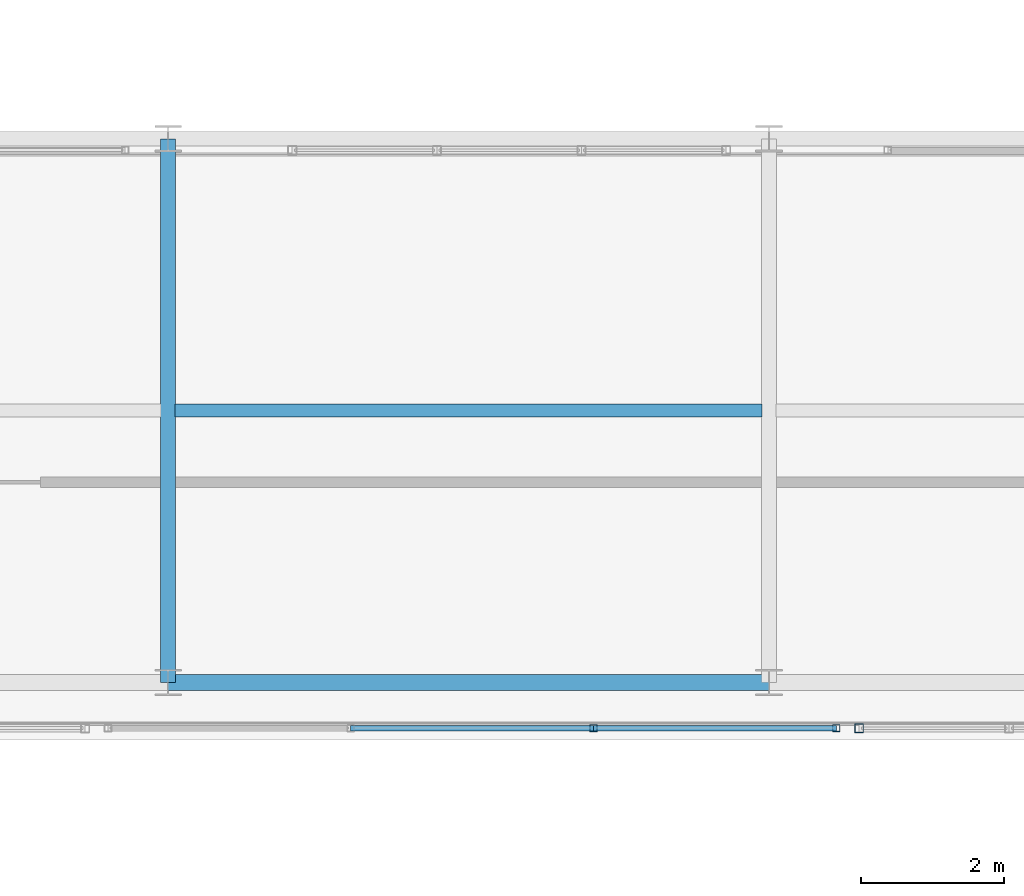
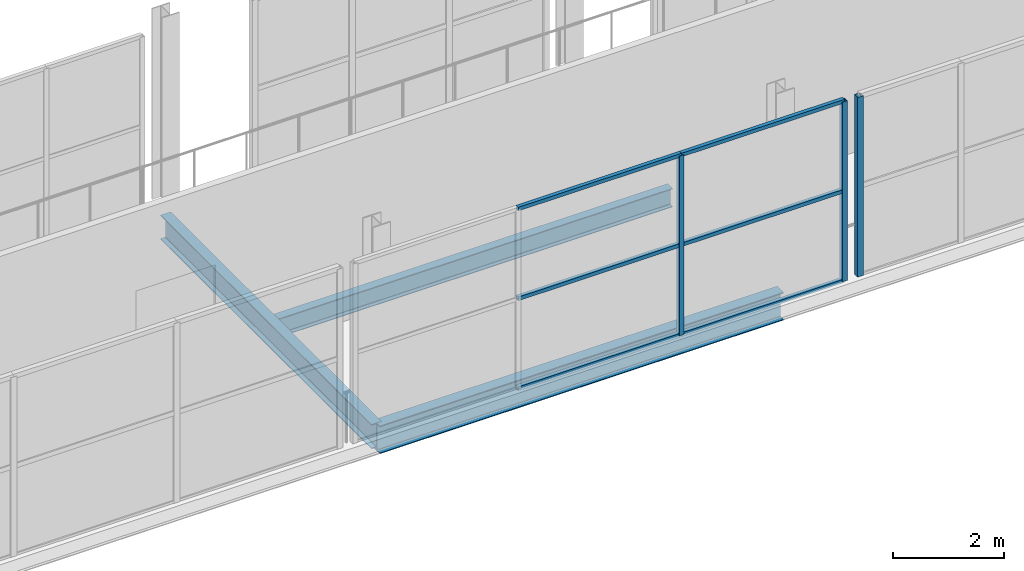
# One storey, part 60 of 217: 9 members, 3 beams, 2 elements without a shape of their own.
"""IFC4 building model written with IfcOpenShell, lengths in metres."""

from ifc_helpers import new_model, si_unit, direction, frame, origin, origin_2d, place, context, subcontext, project, spatial, hollow_rectangle, i_section, extrude, material, material_profile, profile_set, type_object, element, aggregate, save


model = new_model("IFC4")

# Units and contexts
model_context = context("Model", 3, precision=1e-05, world=origin(), true_north=direction((0.0, 1.0)))
body_context = subcontext(model_context, "Body", "Model", "MODEL_VIEW")
ifc_project = project(units=[si_unit("LENGTHUNIT", "METRE"), si_unit("AREAUNIT", "SQUARE_METRE"), si_unit("VOLUMEUNIT", "CUBIC_METRE"), si_unit("PLANEANGLEUNIT", "RADIAN"), si_unit("MASSUNIT", "GRAM", prefix="KILO")], contexts=[model_context])

# Site, building, storey
site_placement = place(None, origin())
site = spatial("IfcSite", under=ifc_project, at=site_placement, CompositionType="ELEMENT")
building_placement = place(site_placement, origin())
building = spatial("IfcBuilding", under=site, at=building_placement, Name="Zuvorla Pavilion Media Centre", CompositionType="ELEMENT")
storey_placement = place(building_placement, frame((0.0, 0.0, 9.60009765625)))
storey = spatial("IfcBuildingStorey", under=building, at=storey_placement, Name="L02", CompositionType="ELEMENT", Elevation=9.60009765625)

# Beams
ifc_material_1 = material(Name="Steel S355", Category="steel")
ifc_material_profile_1 = material_profile(ifc_material_1, i_section(OverallWidth=0.1787109375, OverallDepth=0.409423828125, WebThickness=0.0087890625, FlangeThickness=0.014404296875, FilletRadius=0.01025390625, at=origin_2d()), Name="UB 406x178x67")
ifc_profile_set_1 = profile_set([ifc_material_profile_1], Name="Steel S355")
beam_type_1 = type_object("IfcBeamType", Name="BM-UB406", PredefinedType="JOIST", material=ifc_profile_set_1)
beam_1_placement = place(storey_placement, frame((50.10009765625, 85.800048828125, -0.472900390625), z_axis=(1.0, 0.0, 0.0), x_axis=(0.0, 1.0, 0.0)))
element("IfcBeam", 1, at=beam_1_placement, inside=storey, type_object=beam_type_1, Name="L02 joist J02 999", PredefinedType="JOIST", context=body_context, shape_type="SweptSolid", body=[
    extrude(i_section(OverallWidth=0.1787109375, OverallDepth=0.409423828125, WebThickness=0.0087890625, FlangeThickness=0.014404296875, FilletRadius=0.01025390625, at=origin_2d()), origin(), (0.0, 0.0, 1.0), 8.199951171875),
])
ifc_material_profile_2 = material_profile(ifc_material_1, i_section(OverallWidth=0.2099609375, OverallDepth=0.53662109375, WebThickness=0.0107421875, FlangeThickness=0.017333984375, FilletRadius=0.0126953125, at=origin_2d()), Name="UB 533x210x101")
ifc_profile_set_2 = profile_set([ifc_material_profile_2], Name="Steel S355")
beam_type_2 = type_object("IfcBeamType", Name="BM-UB533", PredefinedType="BEAM", material=ifc_profile_set_2)
beam_2_placement = place(storey_placement, frame((50.0, 82.0, -0.536376953125), z_axis=(0.0, 1.0, 0.0), x_axis=(-1.0, 0.0, 0.0)))
element("IfcBeam", 2, at=beam_2_placement, inside=storey, type_object=beam_type_2, Name="L02 beam B08 915", PredefinedType="BEAM", context=body_context, shape_type="SweptSolid", body=[
    extrude(i_section(OverallWidth=0.2099609375, OverallDepth=0.53662109375, WebThickness=0.0107421875, FlangeThickness=0.017333984375, FilletRadius=0.0126953125, at=origin_2d()), origin(), (0.0, 0.0, 1.0), 7.60009765625),
])
ifc_material_profile_3 = material_profile(ifc_material_1, i_section(OverallWidth=0.22900390625, OverallDepth=0.6123046875, WebThickness=0.011962890625, FlangeThickness=0.01953125, FilletRadius=0.0126953125, at=origin_2d()), Name="UB 610x229x125")
ifc_profile_set_3 = profile_set([ifc_material_profile_3], Name="Steel S355")
beam_type_3 = type_object("IfcBeamType", Name="BM-UB610", PredefinedType="BEAM", material=ifc_profile_set_3)
beam_3_placement = place(storey_placement, frame((50.0, 82.0, -0.57421875), z_axis=(1.0, 0.0, 0.0), x_axis=(0.0, 1.0, 0.0)))
element("IfcBeam", 3, at=beam_3_placement, inside=storey, type_object=beam_type_3, Name="L02 beam B07 863", PredefinedType="BEAM", context=body_context, shape_type="SweptSolid", body=[
    extrude(i_section(OverallWidth=0.22900390625, OverallDepth=0.6123046875, WebThickness=0.011962890625, FlangeThickness=0.01953125, FilletRadius=0.0126953125, at=origin_2d()), origin(), (0.0, 0.0, 1.0), 8.39990234375),
])

# Curtain wall, members
ifc_material_2 = material(Name="Unitised anodised aluminium and solar glass curtain wall", Category="aluminium")
curtain_wall_type_1 = type_object("IfcCurtainWallType", Name="CW-SYS-35", PredefinedType="USERDEFINED", material=ifc_material_2)
curtain_wall_1_placement = place(storey_placement, origin())
curtain_wall_1 = element("IfcCurtainWall", 4, at=curtain_wall_1_placement, inside=storey, type_object=curtain_wall_type_1, Name="L02 curtain wall CW35 56", ObjectType="CURTAIN WALL", PredefinedType="USERDEFINED")
ifc_material_3 = material(Name="Anodised aluminium 6063-T6", Category="aluminium")
ifc_material_profile_4 = material_profile(ifc_material_3, hollow_rectangle(XDim=0.10009765625, YDim=0.10009765625, WallThickness=0.00439453125, at=origin_2d()), Name="ALU MULL 100x100")
ifc_profile_set_4 = profile_set([ifc_material_profile_4], Name="Anodised aluminium 6063-T6")
member_type_1 = type_object("IfcMemberType", Name="CW-MULL-100", PredefinedType="MULLION", material=ifc_profile_set_4)
member_1_placement = place(storey_placement, frame((59.340087890625, 81.360107421875, 0.0), z_axis=(0.0, 0.0, 1.0), x_axis=(1.0, 0.0, 0.0)))
member_1 = element("IfcMember", 5, at=member_1_placement, type_object=member_type_1, Name="CW35 mullion 1", PredefinedType="MULLION", context=body_context, shape_type="SweptSolid", body=[
    extrude(hollow_rectangle(XDim=0.10009765625, YDim=0.10009765625, WallThickness=0.00439453125, at=origin_2d()), origin(), (0.0, 0.0, 1.0), 3.949951171875),
])
member_2_placement = place(storey_placement, frame((55.94677734375, 81.360107421875, 0.0), z_axis=(0.0, 0.0, 1.0), x_axis=(1.0, 0.0, 0.0)))
member_2 = element("IfcMember", 6, at=member_2_placement, type_object=member_type_1, Name="CW35 mullion 2", PredefinedType="MULLION", context=body_context, shape_type="SweptSolid", body=[
    extrude(hollow_rectangle(XDim=0.10009765625, YDim=0.10009765625, WallThickness=0.00439453125, at=origin_2d()), origin(), (0.0, 0.0, 1.0), 3.949951171875),
])

# Curtain wall, member
curtain_wall_type_2 = type_object("IfcCurtainWallType", Name="CW-SYS-39", PredefinedType="USERDEFINED", material=ifc_material_2)
curtain_wall_2_placement = place(storey_placement, origin())
curtain_wall_2 = element("IfcCurtainWall", 7, at=curtain_wall_2_placement, inside=storey, type_object=curtain_wall_type_2, Name="L02 curtain wall CW39 60", ObjectType="CURTAIN WALL", PredefinedType="USERDEFINED")
ifc_material_profile_5 = material_profile(ifc_material_3, hollow_rectangle(XDim=0.1201171875, YDim=0.1201171875, WallThickness=0.0048828125, at=origin_2d()), Name="ALU MULL 120x120")
ifc_profile_set_5 = profile_set([ifc_material_profile_5], Name="Anodised aluminium 6063-T6")
member_type_2 = type_object("IfcMemberType", Name="CW-MULL-120", PredefinedType="MULLION", material=ifc_profile_set_5)
member_3_placement = place(storey_placement, frame((59.659912109375, 81.360107421875, 0.0), z_axis=(0.0, 0.0, 1.0), x_axis=(1.0, 0.0, 0.0)))
member_3 = element("IfcMember", 8, at=member_3_placement, type_object=member_type_2, Name="CW39 mullion 4", PredefinedType="MULLION", context=body_context, shape_type="SweptSolid", body=[
    extrude(hollow_rectangle(XDim=0.1201171875, YDim=0.1201171875, WallThickness=0.0048828125, at=origin_2d()), origin(), (0.0, 0.0, 1.0), 3.949951171875),
])
aggregate(curtain_wall_2, [member_3])

# Member
ifc_material_profile_6 = material_profile(ifc_material_3, hollow_rectangle(XDim=0.080078125, YDim=0.080078125, WallThickness=0.00390625, at=origin_2d()), Name="ALU TRAN 80x80")
ifc_profile_set_6 = profile_set([ifc_material_profile_6], Name="Anodised aluminium 6063-T6")
member_type_3 = type_object("IfcMemberType", Name="CW-TRAN-80", PredefinedType="USERDEFINED", material=ifc_profile_set_6)
member_4_placement = place(storey_placement, frame((59.340087890625, 81.360107421875, 0.0), z_axis=(-1.0, 0.0, 0.0), x_axis=(0.0, -1.0, 0.0)))
member_4 = element("IfcMember", 9, at=member_4_placement, type_object=member_type_3, Name="CW35 transom 1.1", ObjectType="TRANSOM", PredefinedType="USERDEFINED", context=body_context, shape_type="SweptSolid", body=[
    extrude(hollow_rectangle(XDim=0.080078125, YDim=0.080078125, WallThickness=0.00390625, at=origin_2d()), origin(), (0.0, 0.0, 1.0), 3.393310546875),
])

member_5_placement = place(storey_placement, frame((59.340087890625, 81.360107421875, 1.974853515625), z_axis=(-1.0, 0.0, 0.0), x_axis=(0.0, -1.0, 0.0)))
member_5 = element("IfcMember", 10, at=member_5_placement, type_object=member_type_3, Name="CW35 transom 1.2", ObjectType="TRANSOM", PredefinedType="USERDEFINED", context=body_context, shape_type="SweptSolid", body=[
    extrude(hollow_rectangle(XDim=0.080078125, YDim=0.080078125, WallThickness=0.00390625, at=origin_2d()), origin(), (0.0, 0.0, 1.0), 3.393310546875),
])

member_6_placement = place(storey_placement, frame((59.340087890625, 81.360107421875, 3.949951171875), z_axis=(-1.0, 0.0, 0.0), x_axis=(0.0, -1.0, 0.0)))
member_6 = element("IfcMember", 11, at=member_6_placement, type_object=member_type_3, Name="CW35 transom 1.3", ObjectType="TRANSOM", PredefinedType="USERDEFINED", context=body_context, shape_type="SweptSolid", body=[
    extrude(hollow_rectangle(XDim=0.080078125, YDim=0.080078125, WallThickness=0.00390625, at=origin_2d()), origin(), (0.0, 0.0, 1.0), 3.393310546875),
])

member_7_placement = place(storey_placement, frame((55.94677734375, 81.360107421875, 0.0), z_axis=(-1.0, 0.0, 0.0), x_axis=(0.0, -1.0, 0.0)))
member_7 = element("IfcMember", 12, at=member_7_placement, type_object=member_type_3, Name="CW35 transom 2.1", ObjectType="TRANSOM", PredefinedType="USERDEFINED", context=body_context, shape_type="SweptSolid", body=[
    extrude(hollow_rectangle(XDim=0.080078125, YDim=0.080078125, WallThickness=0.00390625, at=origin_2d()), origin(), (0.0, 0.0, 1.0), 3.3935546875),
])

member_8_placement = place(storey_placement, frame((55.94677734375, 81.360107421875, 1.974853515625), z_axis=(-1.0, 0.0, 0.0), x_axis=(0.0, -1.0, 0.0)))
member_8 = element("IfcMember", 13, at=member_8_placement, type_object=member_type_3, Name="CW35 transom 2.2", ObjectType="TRANSOM", PredefinedType="USERDEFINED", context=body_context, shape_type="SweptSolid", body=[
    extrude(hollow_rectangle(XDim=0.080078125, YDim=0.080078125, WallThickness=0.00390625, at=origin_2d()), origin(), (0.0, 0.0, 1.0), 3.3935546875),
])

member_9_placement = place(storey_placement, frame((55.94677734375, 81.360107421875, 3.949951171875), z_axis=(-1.0, 0.0, 0.0), x_axis=(0.0, -1.0, 0.0)))
member_9 = element("IfcMember", 14, at=member_9_placement, type_object=member_type_3, Name="CW35 transom 2.3", ObjectType="TRANSOM", PredefinedType="USERDEFINED", context=body_context, shape_type="SweptSolid", body=[
    extrude(hollow_rectangle(XDim=0.080078125, YDim=0.080078125, WallThickness=0.00390625, at=origin_2d()), origin(), (0.0, 0.0, 1.0), 3.3935546875),
])

aggregate(curtain_wall_1, [member_1, member_2, member_4, member_5, member_6, member_7, member_8, member_9])

save(model, "model.ifc")
